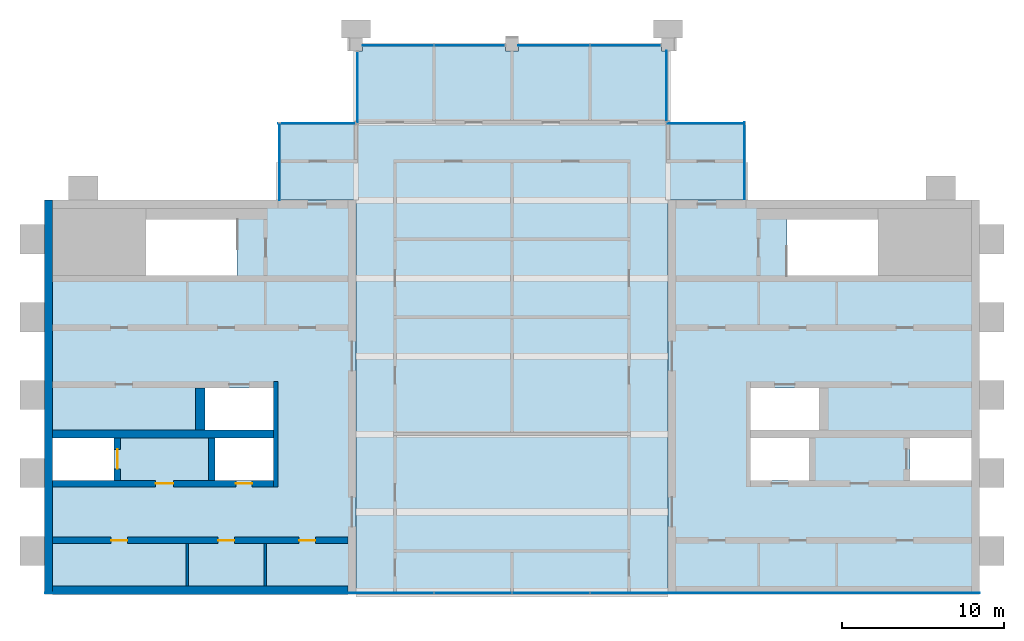
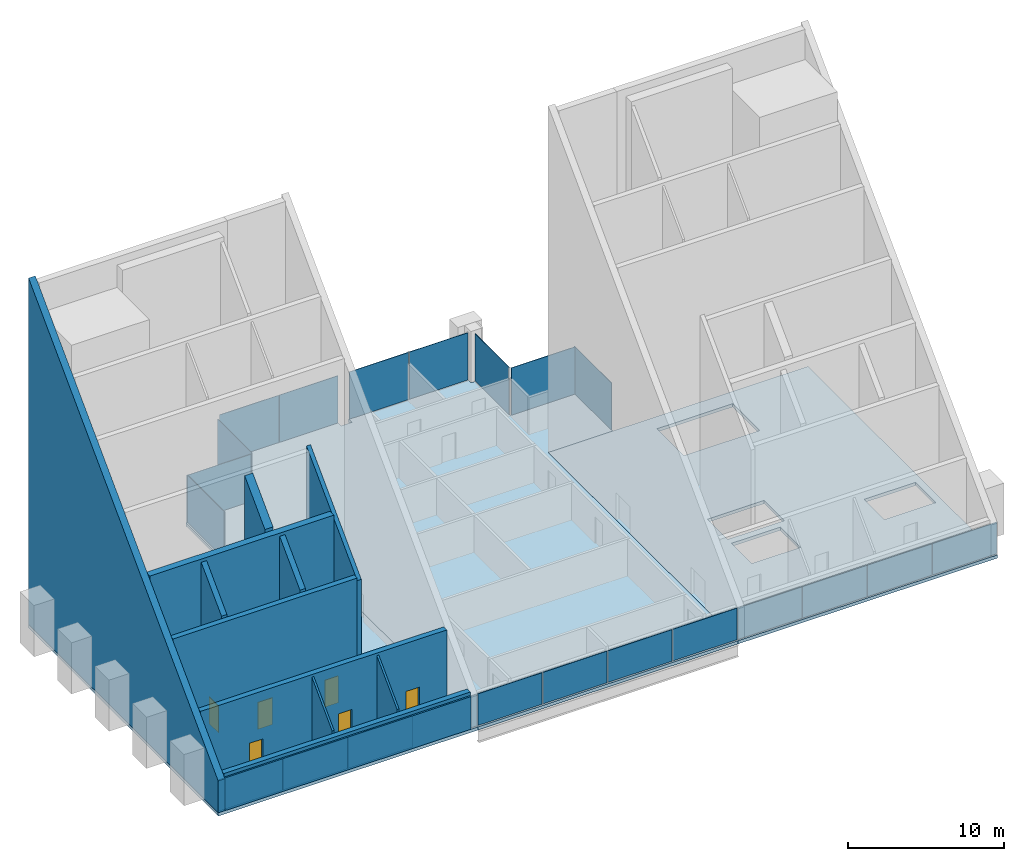
# One storey, part 8 of 12: 22 plates, 12 walls, 6 doors, 3 slabs, 6 openings, 9 elements without a shape of their own.
"""IFC4 building model written with IfcOpenShell, lengths in metres."""

from ifc_helpers import new_model, si_unit, direction, frame, frame_2d, origin, origin_2d, place, context, subcontext, project, spatial, polyline, rectangle, outline, extrude, material, layer, layer_set, type_object, element, fill, aggregate, save


model = new_model("IFC4")

# Units and contexts
model_context = context("Model", 3, precision=1e-05, world=origin(), true_north=direction((0.0, 1.0)))
body_context = subcontext(model_context, "Body", "Model", "MODEL_VIEW")
ifc_project = project(units=[si_unit("LENGTHUNIT", "METRE"), si_unit("AREAUNIT", "SQUARE_METRE"), si_unit("VOLUMEUNIT", "CUBIC_METRE"), si_unit("PLANEANGLEUNIT", "RADIAN"), si_unit("MASSUNIT", "GRAM", prefix="KILO")], contexts=[model_context])

# Site, building, storey
site_placement = place(None, origin())
site = spatial("IfcSite", under=ifc_project, at=site_placement, CompositionType="ELEMENT")
building_placement = place(site_placement, origin())
building = spatial("IfcBuilding", under=site, at=building_placement, Name="Baori Bourse Tower", CompositionType="ELEMENT")
storey_placement = place(building_placement, frame((0.0, 0.0, 374.300048828125)))
storey = spatial("IfcBuildingStorey", under=building, at=storey_placement, Name="L84", CompositionType="ELEMENT", Elevation=374.300048828125)

# Curtain wall, plates
ifc_material_1 = material(Name="Pale anodised aluminium", Category="aluminium")
curtain_wall_type = type_object("IfcCurtainWallType", Name="CW3 Curtain wall", PredefinedType="NOTDEFINED", material=ifc_material_1)
curtain_wall_1_placement = place(storey_placement, origin())
curtain_wall_1 = element("IfcCurtainWall", 1, at=curtain_wall_1_placement, inside=storey, type_object=curtain_wall_type, Name="Curtain wall CW3 L84 1", PredefinedType="NOTDEFINED")
ifc_material_2 = material(Name="Pale anodised aluminium", Category="aluminium")
ifc_layer_1 = layer(ifc_material_2, 0.0400390625)
ifc_layer_set_1 = layer_set([ifc_layer_1], Name="CW3 Curtain wall panel")
plate_type = type_object("IfcPlateType", Name="CW3 Curtain wall panel", PredefinedType="CURTAIN_PANEL", material=ifc_layer_set_1)
plate_1_placement = place(storey_placement, frame((2.41259765625, 14.203369140625, 0.06005859375), z_axis=(0.0, 0.0, 1.0), x_axis=(1.0, 0.0, 0.0)))
plate_1 = element("IfcPlate", 2, at=plate_1_placement, type_object=plate_type, Name="Curtain wall CW3 louvre panel", PredefinedType="CURTAIN_PANEL", context=body_context, shape_type="SweptSolid", body=[
    extrude(rectangle(XDim=4.72509765625, YDim=0.0400390625, at=origin_2d()), origin(), (0.0, 0.0, 1.0), 2.469970703125),
])
plate_2_placement = place(storey_placement, frame((7.199951171875, 14.203369140625, 0.06005859375), z_axis=(0.0, 0.0, 1.0), x_axis=(1.0, 0.0, 0.0)))
plate_2 = element("IfcPlate", 3, at=plate_2_placement, type_object=plate_type, Name="Curtain wall CW3 louvre panel", PredefinedType="CURTAIN_PANEL", context=body_context, shape_type="SweptSolid", body=[
    extrude(rectangle(XDim=4.75, YDim=0.0400390625, at=origin_2d()), origin(), (0.0, 0.0, 1.0), 2.469970703125),
])
plate_3_placement = place(storey_placement, frame((12.0, 14.203369140625, 0.06005859375), z_axis=(0.0, 0.0, 1.0), x_axis=(1.0, 0.0, 0.0)))
plate_3 = element("IfcPlate", 4, at=plate_3_placement, type_object=plate_type, Name="Curtain wall CW3 louvre panel", PredefinedType="CURTAIN_PANEL", context=body_context, shape_type="SweptSolid", body=[
    extrude(rectangle(XDim=4.75, YDim=0.0400390625, at=origin_2d()), origin(), (0.0, 0.0, 1.0), 2.469970703125),
])
plate_4_placement = place(storey_placement, frame((16.800048828125, 14.203369140625, 0.06005859375), z_axis=(0.0, 0.0, 1.0), x_axis=(1.0, 0.0, 0.0)))
plate_4 = element("IfcPlate", 5, at=plate_4_placement, type_object=plate_type, Name="Curtain wall CW3 louvre panel", PredefinedType="CURTAIN_PANEL", context=body_context, shape_type="SweptSolid", body=[
    extrude(rectangle(XDim=4.75, YDim=0.0400390625, at=origin_2d()), origin(), (0.0, 0.0, 1.0), 2.469970703125),
])
plate_5_placement = place(storey_placement, frame((21.60009765625, 14.203369140625, 0.06005859375), z_axis=(0.0, 0.0, 1.0), x_axis=(1.0, 0.0, 0.0)))
plate_5 = element("IfcPlate", 6, at=plate_5_placement, type_object=plate_type, Name="Curtain wall CW3 louvre panel", PredefinedType="CURTAIN_PANEL", context=body_context, shape_type="SweptSolid", body=[
    extrude(rectangle(XDim=4.75, YDim=0.0400390625, at=origin_2d()), origin(), (0.0, 0.0, 1.0), 2.469970703125),
])
plate_6_placement = place(storey_placement, frame((26.39990234375, 14.203369140625, 0.06005859375), z_axis=(0.0, 0.0, 1.0), x_axis=(1.0, 0.0, 0.0)))
plate_6 = element("IfcPlate", 7, at=plate_6_placement, type_object=plate_type, Name="Curtain wall CW3 louvre panel", PredefinedType="CURTAIN_PANEL", context=body_context, shape_type="SweptSolid", body=[
    extrude(rectangle(XDim=4.75, YDim=0.0400390625, at=origin_2d()), origin(), (0.0, 0.0, 1.0), 2.469970703125),
])
plate_7_placement = place(storey_placement, frame((31.199951171875, 14.203369140625, 0.06005859375), z_axis=(0.0, 0.0, 1.0), x_axis=(1.0, 0.0, 0.0)))
plate_7 = element("IfcPlate", 8, at=plate_7_placement, type_object=plate_type, Name="Curtain wall CW3 louvre panel", PredefinedType="CURTAIN_PANEL", context=body_context, shape_type="SweptSolid", body=[
    extrude(rectangle(XDim=4.75, YDim=0.0400390625, at=origin_2d()), origin(), (0.0, 0.0, 1.0), 2.469970703125),
])
plate_8_placement = place(storey_placement, frame((36.0, 14.203369140625, 0.06005859375), z_axis=(0.0, 0.0, 1.0), x_axis=(1.0, 0.0, 0.0)))
plate_8 = element("IfcPlate", 9, at=plate_8_placement, type_object=plate_type, Name="Curtain wall CW3 louvre panel", PredefinedType="CURTAIN_PANEL", context=body_context, shape_type="SweptSolid", body=[
    extrude(rectangle(XDim=4.75, YDim=0.0400390625, at=origin_2d()), origin(), (0.0, 0.0, 1.0), 2.469970703125),
])
plate_9_placement = place(storey_placement, frame((40.800048828125, 14.203369140625, 0.06005859375), z_axis=(0.0, 0.0, 1.0), x_axis=(1.0, 0.0, 0.0)))
plate_9 = element("IfcPlate", 10, at=plate_9_placement, type_object=plate_type, Name="Curtain wall CW3 louvre panel", PredefinedType="CURTAIN_PANEL", context=body_context, shape_type="SweptSolid", body=[
    extrude(rectangle(XDim=4.75, YDim=0.0400390625, at=origin_2d()), origin(), (0.0, 0.0, 1.0), 2.469970703125),
])
plate_10_placement = place(storey_placement, frame((45.60009765625, 14.203369140625, 0.06005859375), z_axis=(0.0, 0.0, 1.0), x_axis=(1.0, 0.0, 0.0)))
plate_10 = element("IfcPlate", 11, at=plate_10_placement, type_object=plate_type, Name="Curtain wall CW3 louvre panel", PredefinedType="CURTAIN_PANEL", context=body_context, shape_type="SweptSolid", body=[
    extrude(rectangle(XDim=4.75, YDim=0.0400390625, at=origin_2d()), origin(), (0.0, 0.0, 1.0), 2.469970703125),
])
plate_11_placement = place(storey_placement, frame((50.39990234375, 14.203369140625, 0.06005859375), z_axis=(0.0, 0.0, 1.0), x_axis=(1.0, 0.0, 0.0)))
plate_11 = element("IfcPlate", 12, at=plate_11_placement, type_object=plate_type, Name="Curtain wall CW3 louvre panel", PredefinedType="CURTAIN_PANEL", context=body_context, shape_type="SweptSolid", body=[
    extrude(rectangle(XDim=4.75, YDim=0.0400390625, at=origin_2d()), origin(), (0.0, 0.0, 1.0), 2.469970703125),
])
plate_12_placement = place(storey_placement, frame((55.21240234375, 14.203369140625, 0.06005859375), z_axis=(0.0, 0.0, 1.0), x_axis=(1.0, 0.0, 0.0)))
plate_12 = element("IfcPlate", 13, at=plate_12_placement, type_object=plate_type, Name="Curtain wall CW3 louvre panel", PredefinedType="CURTAIN_PANEL", context=body_context, shape_type="SweptSolid", body=[
    extrude(rectangle(XDim=4.77490234375, YDim=0.0400390625, at=origin_2d()), origin(), (0.0, 0.0, 1.0), 2.469970703125),
])
aggregate(curtain_wall_1, [plate_1, plate_2, plate_3, plate_4, plate_5, plate_6, plate_7, plate_8, plate_9, plate_10, plate_11, plate_12])

# Curtain wall, plate
curtain_wall_2_placement = place(storey_placement, origin())
curtain_wall_2 = element("IfcCurtainWall", 14, at=curtain_wall_2_placement, inside=storey, type_object=curtain_wall_type, Name="Curtain wall CW3 L84 2", PredefinedType="NOTDEFINED")
plate_13_placement = place(storey_placement, frame((43.1201171875, 40.824951171875, 0.06005859375), z_axis=(0.0, 0.0, 1.0), x_axis=(0.0, 1.0, 0.0)))
plate_13 = element("IfcPlate", 15, at=plate_13_placement, type_object=plate_type, Name="Curtain wall CW3 louvre panel", PredefinedType="CURTAIN_PANEL", context=body_context, shape_type="SweptSolid", body=[
    extrude(rectangle(XDim=4.75, YDim=0.0400390625, at=origin_2d()), origin(), (0.0, 0.0, 1.0), 3.68994140625),
])
aggregate(curtain_wall_2, [plate_13])

curtain_wall_3_placement = place(storey_placement, origin())
curtain_wall_3 = element("IfcCurtainWall", 16, at=curtain_wall_3_placement, inside=storey, type_object=curtain_wall_type, Name="Curtain wall CW3 L84 3", PredefinedType="NOTDEFINED")
plate_14_placement = place(storey_placement, frame((40.77490234375, 43.1201171875, 0.06005859375), z_axis=(0.0, 0.0, 1.0), x_axis=(-1.0, 0.0, 0.0)))
plate_14 = element("IfcPlate", 17, at=plate_14_placement, type_object=plate_type, Name="Curtain wall CW3 louvre panel", PredefinedType="CURTAIN_PANEL", context=body_context, shape_type="SweptSolid", body=[
    extrude(rectangle(XDim=4.75, YDim=0.0400390625, at=origin_2d()), origin(), (0.0, 0.0, 1.0), 3.68994140625),
])
aggregate(curtain_wall_3, [plate_14])

curtain_wall_4_placement = place(storey_placement, origin())
curtain_wall_4 = element("IfcCurtainWall", 18, at=curtain_wall_4_placement, inside=storey, type_object=curtain_wall_type, Name="Curtain wall CW3 L84 4", PredefinedType="NOTDEFINED")
plate_15_placement = place(storey_placement, frame((38.320068359375, 45.425048828125, 0.06005859375), z_axis=(0.0, 0.0, 1.0), x_axis=(0.0, 1.0, 0.0)))
plate_15 = element("IfcPlate", 19, at=plate_15_placement, type_object=plate_type, Name="Curtain wall CW3 louvre panel", PredefinedType="CURTAIN_PANEL", context=body_context, shape_type="SweptSolid", body=[
    extrude(rectangle(XDim=4.35009765625, YDim=0.0400390625, at=origin_2d()), origin(), (0.0, 0.0, 1.0), 3.68994140625),
])
aggregate(curtain_wall_4, [plate_15])

# Curtain wall, plates
curtain_wall_5_placement = place(storey_placement, origin())
curtain_wall_5 = element("IfcCurtainWall", 20, at=curtain_wall_5_placement, inside=storey, type_object=curtain_wall_type, Name="Curtain wall CW3 L84 5", PredefinedType="NOTDEFINED")
plate_16_placement = place(storey_placement, frame((35.78759765625, 47.919921875, 0.06005859375), z_axis=(0.0, 0.0, 1.0), x_axis=(-1.0, 0.0, 0.0)))
plate_16 = element("IfcPlate", 21, at=plate_16_placement, type_object=plate_type, Name="Curtain wall CW3 louvre panel", PredefinedType="CURTAIN_PANEL", context=body_context, shape_type="SweptSolid", body=[
    extrude(rectangle(XDim=4.324951171875, YDim=0.0400390625, at=origin_2d()), origin(), (0.0, 0.0, 1.0), 3.68994140625),
])
plate_17_placement = place(storey_placement, frame((31.387451171875, 47.919921875, 0.06005859375), z_axis=(0.0, 0.0, 1.0), x_axis=(-1.0, 0.0, 0.0)))
plate_17 = element("IfcPlate", 22, at=plate_17_placement, type_object=plate_type, Name="Curtain wall CW3 louvre panel", PredefinedType="CURTAIN_PANEL", context=body_context, shape_type="SweptSolid", body=[
    extrude(rectangle(XDim=4.375, YDim=0.0400390625, at=origin_2d()), origin(), (0.0, 0.0, 1.0), 3.68994140625),
])
aggregate(curtain_wall_5, [plate_16, plate_17])

curtain_wall_6_placement = place(storey_placement, origin())
curtain_wall_6 = element("IfcCurtainWall", 23, at=curtain_wall_6_placement, inside=storey, type_object=curtain_wall_type, Name="Curtain wall CW3 L84 6", PredefinedType="NOTDEFINED")
plate_18_placement = place(storey_placement, frame((26.1875, 47.919921875, 0.06005859375), z_axis=(0.0, 0.0, 1.0), x_axis=(-1.0, 0.0, 0.0)))
plate_18 = element("IfcPlate", 24, at=plate_18_placement, type_object=plate_type, Name="Curtain wall CW3 louvre panel", PredefinedType="CURTAIN_PANEL", context=body_context, shape_type="SweptSolid", body=[
    extrude(rectangle(XDim=4.324951171875, YDim=0.0400390625, at=origin_2d()), origin(), (0.0, 0.0, 1.0), 3.68994140625),
])
plate_19_placement = place(storey_placement, frame((21.78759765625, 47.919921875, 0.06005859375), z_axis=(0.0, 0.0, 1.0), x_axis=(-1.0, 0.0, 0.0)))
plate_19 = element("IfcPlate", 25, at=plate_19_placement, type_object=plate_type, Name="Curtain wall CW3 louvre panel", PredefinedType="CURTAIN_PANEL", context=body_context, shape_type="SweptSolid", body=[
    extrude(rectangle(XDim=4.375, YDim=0.0400390625, at=origin_2d()), origin(), (0.0, 0.0, 1.0), 3.68994140625),
])
aggregate(curtain_wall_6, [plate_18, plate_19])

# Curtain wall, plate
curtain_wall_7_placement = place(storey_placement, origin())
curtain_wall_7 = element("IfcCurtainWall", 26, at=curtain_wall_7_placement, inside=storey, type_object=curtain_wall_type, Name="Curtain wall CW3 L84 7", PredefinedType="NOTDEFINED")
plate_20_placement = place(storey_placement, frame((19.280029296875, 45.375, 0.06005859375), z_axis=(0.0, 0.0, 1.0), x_axis=(0.0, -1.0, 0.0)))
plate_20 = element("IfcPlate", 27, at=plate_20_placement, type_object=plate_type, Name="Curtain wall CW3 louvre panel", PredefinedType="CURTAIN_PANEL", context=body_context, shape_type="SweptSolid", body=[
    extrude(rectangle(XDim=4.35009765625, YDim=0.0400390625, at=origin_2d()), origin(), (0.0, 0.0, 1.0), 3.68994140625),
])
aggregate(curtain_wall_7, [plate_20])

curtain_wall_8_placement = place(storey_placement, origin())
curtain_wall_8 = element("IfcCurtainWall", 28, at=curtain_wall_8_placement, inside=storey, type_object=curtain_wall_type, Name="Curtain wall CW3 L84 8", PredefinedType="NOTDEFINED")
plate_21_placement = place(storey_placement, frame((16.77490234375, 43.1201171875, 0.06005859375), z_axis=(0.0, 0.0, 1.0), x_axis=(-1.0, 0.0, 0.0)))
plate_21 = element("IfcPlate", 29, at=plate_21_placement, type_object=plate_type, Name="Curtain wall CW3 louvre panel", PredefinedType="CURTAIN_PANEL", context=body_context, shape_type="SweptSolid", body=[
    extrude(rectangle(XDim=4.75, YDim=0.0400390625, at=origin_2d()), origin(), (0.0, 0.0, 1.0), 3.68994140625),
])
aggregate(curtain_wall_8, [plate_21])

curtain_wall_9_placement = place(storey_placement, origin())
curtain_wall_9 = element("IfcCurtainWall", 30, at=curtain_wall_9_placement, inside=storey, type_object=curtain_wall_type, Name="Curtain wall CW3 L84 9", PredefinedType="NOTDEFINED")
plate_22_placement = place(storey_placement, frame((14.47998046875, 40.77490234375, 0.06005859375), z_axis=(0.0, 0.0, 1.0), x_axis=(0.0, -1.0, 0.0)))
plate_22 = element("IfcPlate", 31, at=plate_22_placement, type_object=plate_type, Name="Curtain wall CW3 louvre panel", PredefinedType="CURTAIN_PANEL", context=body_context, shape_type="SweptSolid", body=[
    extrude(rectangle(XDim=4.75, YDim=0.0400390625, at=origin_2d()), origin(), (0.0, 0.0, 1.0), 3.68994140625),
])
aggregate(curtain_wall_9, [plate_22])

# Slabs
ifc_material_3 = material(Name="Concrete f'c 50 MPa", Category="concrete")
ifc_layer_2 = layer(ifc_material_3, 0.25)
ifc_layer_set_2 = layer_set([ifc_layer_2], Name="Core slab 250")
slab_type_1 = type_object("IfcSlabType", Name="Core slab 250", PredefinedType="FLOOR", material=ifc_layer_set_2)
slab_1_placement = place(storey_placement, frame((0.0, 0.0, -0.25)))
element("IfcSlab", 32, at=slab_1_placement, inside=storey, type_object=slab_type_1, Name="Core floor slab W01", PredefinedType="FLOOR", context=body_context, shape_type="SweptSolid", body=[
    extrude(outline(polyline([(19.199951171875, 14.12353515625), (19.199951171875, 38.39990234375), (0.0, 38.39990234375), (0.0, 14.12353515625), (19.199951171875, 14.12353515625)]), holes=[polyline([(9.89990234375, 24.25), (9.89990234375, 26.85009765625), (14.10009765625, 26.85009765625), (14.10009765625, 24.25), (9.89990234375, 24.25)]), polyline([(10.5, 23.75), (14.10009765625, 23.75), (14.10009765625, 21.14990234375), (10.5, 21.14990234375), (10.5, 23.75)]), polyline([(11.84912109375, 37.199951171875), (11.84912109375, 33.75), (6.25, 33.75), (6.25, 37.199951171875), (11.84912109375, 37.199951171875)]), polyline([(4.300048828125, 21.14990234375), (0.5, 21.14990234375), (0.5, 23.75), (4.300048828125, 23.75), (4.300048828125, 21.14990234375)])]), origin(), (0.0, 0.0, 1.0), 0.25),
])
slab_2_placement = place(storey_placement, frame((0.0, 0.0, -0.25)))
element("IfcSlab", 33, at=slab_2_placement, inside=storey, type_object=slab_type_1, Name="Core floor slab E01", PredefinedType="FLOOR", context=body_context, shape_type="SweptSolid", body=[
    extrude(outline(polyline([(38.39990234375, 14.12353515625), (57.60009765625, 14.12353515625), (57.60009765625, 38.39990234375), (38.39990234375, 38.39990234375), (38.39990234375, 14.12353515625)]), holes=[polyline([(53.300048828125, 21.14990234375), (53.300048828125, 23.75), (57.10009765625, 23.75), (57.10009765625, 21.14990234375), (53.300048828125, 21.14990234375)]), polyline([(51.35009765625, 37.199951171875), (51.35009765625, 33.75), (45.750732421875, 33.75), (45.750732421875, 37.199951171875), (51.35009765625, 37.199951171875)]), polyline([(43.5, 26.85009765625), (47.699951171875, 26.85009765625), (47.699951171875, 24.25), (43.5, 24.25), (43.5, 26.85009765625)]), polyline([(47.10009765625, 23.75), (47.10009765625, 21.14990234375), (43.5, 21.14990234375), (43.5, 23.75), (47.10009765625, 23.75)])]), origin(), (0.0, 0.0, 1.0), 0.25),
])
ifc_material_4 = material(Name="Concrete f'c 40 MPa", Category="concrete")
ifc_layer_3 = layer(ifc_material_4, 0.25)
ifc_layer_set_3 = layer_set([ifc_layer_3], Name="Floor slab 250")
slab_type_2 = type_object("IfcSlabType", Name="Floor slab 250", PredefinedType="FLOOR", material=ifc_layer_set_3)
slab_3_placement = place(storey_placement, frame((0.0, 0.0, -0.25)))
element("IfcSlab", 34, at=slab_3_placement, inside=storey, type_object=slab_type_2, Name="Floor slab L84", PredefinedType="FLOOR", context=body_context, shape_type="SweptSolid", body=[
    extrude(outline(polyline([(38.39990234375, 43.199951171875), (43.199951171875, 43.199951171875), (43.199951171875, 38.39990234375), (38.39990234375, 38.39990234375), (38.39990234375, 14.12353515625), (19.199951171875, 14.12353515625), (19.199951171875, 38.39990234375), (14.39990234375, 38.39990234375), (14.39990234375, 43.199951171875), (19.199951171875, 43.199951171875), (19.199951171875, 47.60009765625), (19.60009765625, 47.60009765625), (19.60009765625, 48.0), (28.39990234375, 48.0), (28.39990234375, 47.60009765625), (29.199951171875, 47.60009765625), (29.199951171875, 48.0), (38.0, 48.0), (38.0, 47.60009765625), (38.39990234375, 47.60009765625), (38.39990234375, 43.199951171875)])), origin(), (0.0, 0.0, 1.0), 0.25),
])

# Walls
ifc_material_5 = material(Name="Blockwork partition", Category="masonry")
ifc_layer_4 = layer(ifc_material_5, 0.14990234375)
ifc_layer_set_4 = layer_set([ifc_layer_4], Name="Core partition 150")
wall_type_1 = type_object("IfcWallType", Name="Core partition 150", PredefinedType="PARTITIONING", material=ifc_layer_set_4)
for number, where, z_axis, x_axis, name in (
    (35, (8.800048828125, 14.64990234375, 0.0), (0.0, 0.0, 1.0), (0.0, 1.0, 0.0), "Partition wall W05"),
    (36, (13.60009765625, 14.64990234375, 0.0), (0.0, 0.0, 1.0), (0.0, 1.0, 0.0), "Partition wall W06"),
):
    element("IfcWall", number, at=place(storey_placement, frame(where, z_axis=z_axis, x_axis=x_axis)), inside=storey, type_object=wall_type_1, Name=name, PredefinedType="PARTITIONING", context=body_context, shape_type="SweptSolid", body=[
        extrude(outline(polyline([(0.0, 0.0), (2.60009765625, 0.0), (2.60009765625, 5.653076171875), (0.0, 3.0205078125), (0.0, 0.0)])), frame((0.0, 0.074951171875, 0.0), z_axis=(0.0, -1.0, 0.0), x_axis=(1.0, 0.0, 0.0)), (0.0, 0.0, 1.0), 0.14990234375),
    ])
ifc_material_6 = material(Name="Concrete f'c 40 MPa", Category="concrete")
ifc_layer_5 = layer(ifc_material_6, 0.126953125)
ifc_layer_set_5 = layer_set([ifc_layer_5], Name="Core wall 127 f'c 40")
wall_type_2 = type_object("IfcWallType", Name="Core wall 127 f'c 40", PredefinedType="SHEAR", material=ifc_layer_set_5)
wall_1_placement = place(storey_placement, frame((18.699951171875, 14.186767578125, 0.0), z_axis=(0.0, 0.0, 1.0), x_axis=(-1.0, 0.0, 0.0)))
element("IfcWall", 37, at=wall_1_placement, inside=storey, type_object=wall_type_2, Name="Core wall W02", PredefinedType="SHEAR", context=body_context, shape_type="SweptSolid", body=[
    extrude(outline(polyline([(0.0, 0.0), (18.199951171875, 0.0), (18.199951171875, 2.551513671875), (0.0, 2.551513671875), (0.0, 0.0)])), frame((0.0, 0.063232421875, 0.0), z_axis=(0.0, -1.0, 0.0), x_axis=(1.0, 0.0, 0.0)), (0.0, 0.0, 1.0), 0.12646484375),
])
ifc_material_7 = material(Name="Concrete f'c 40 MPa", Category="concrete")
ifc_layer_6 = layer(ifc_material_7, 0.5)
ifc_layer_set_6 = layer_set([ifc_layer_6], Name="Core wall 500 f'c 40")
wall_type_3 = type_object("IfcWallType", Name="Core wall 500 f'c 40", PredefinedType="SHEAR", material=ifc_layer_set_6)
wall_2_placement = place(storey_placement, frame((0.25, 14.12353515625, 0.0), z_axis=(0.0, 0.0, 1.0), x_axis=(0.0, 1.0, 0.0)))
element("IfcWall", 38, at=wall_2_placement, inside=storey, type_object=wall_type_3, Name="Core wall W01", PredefinedType="SHEAR", context=body_context, shape_type="SweptSolid", body=[
    extrude(outline(polyline([(0.0, 0.0), (24.2763671875, 0.0), (24.276611328125, 27.0673828125), (0.0, 2.487548828125), (0.0, 0.0)])), frame((0.0, 0.25, 0.0), z_axis=(0.0, -1.0, 0.0), x_axis=(1.0, 0.0, 0.0)), (0.0, 0.0, 1.0), 0.5),
])
ifc_material_8 = material(Name="Concrete f'c 40 MPa", Category="concrete")
ifc_layer_7 = layer(ifc_material_8, 0.300048828125)
ifc_layer_set_7 = layer_set([ifc_layer_7], Name="Shaft wall 300 f'c 40")
wall_type_4 = type_object("IfcWallType", Name="Shaft wall 300 f'c 40", PredefinedType="SHEAR", material=ifc_layer_set_7)
wall_3_placement = place(storey_placement, frame((14.25, 20.75, 0.0), z_axis=(0.0, 0.0, 1.0), x_axis=(0.0, 1.0, 0.0)))
element("IfcWall", 39, at=wall_3_placement, inside=storey, type_object=wall_type_4, Name="Core wall W09", PredefinedType="SHEAR", context=body_context, shape_type="SweptSolid", body=[
    extrude(outline(polyline([(0.0, 0.0), (6.5, 0.0), (6.5, 15.778076171875), (0.0, 9.19677734375), (0.0, 0.0)])), frame((0.0, 0.14990234375, 0.0), z_axis=(0.0, -1.0, 0.0), x_axis=(1.0, 0.0, 0.0)), (0.0, 0.0, 1.0), 0.300048828125),
])
ifc_material_9 = material(Name="Concrete f'c 40 MPa", Category="concrete")
ifc_layer_8 = layer(ifc_material_9, 0.39990234375)
ifc_layer_set_8 = layer_set([ifc_layer_8], Name="Shaft wall 400 f'c 40")
wall_type_5 = type_object("IfcWallType", Name="Shaft wall 400 f'c 40", PredefinedType="SHEAR", material=ifc_layer_set_8)
wall_4_placement = place(storey_placement, frame((0.5, 14.449951171875, 0.0), z_axis=(0.0, 0.0, 1.0), x_axis=(1.0, 0.0, 0.0)))
element("IfcWall", 40, at=wall_4_placement, inside=storey, type_object=wall_type_5, Name="Core wall W04", PredefinedType="SHEAR", context=body_context, shape_type="SweptSolid", body=[
    extrude(outline(polyline([(0.0, 0.0), (18.199951171875, 0.0), (18.199951171875, 2.818115234375), (0.0, 2.818115234375), (0.0, 0.0)])), frame((0.0, 0.199951171875, 0.0), z_axis=(0.0, -1.0, 0.0), x_axis=(1.0, 0.0, 0.0)), (0.0, 0.0, 1.0), 0.39990234375),
])

# Wall, openings, doors
wall_5_placement = place(storey_placement, frame((0.5, 17.449951171875, 0.0), z_axis=(0.0, 0.0, 1.0), x_axis=(1.0, 0.0, 0.0)))
wall_5 = element("IfcWall", 41, at=wall_5_placement, inside=storey, type_object=wall_type_5, Name="Core wall W07", PredefinedType="SHEAR", context=body_context, shape_type="SweptSolid", body=[
    extrude(outline(polyline([(0.0, 0.0), (18.199951171875, 0.0), (18.199951171875, 5.85546875), (0.0, 5.85546875), (0.0, 0.0)])), frame((0.0, 0.199951171875, 0.0), z_axis=(0.0, -1.0, 0.0), x_axis=(1.0, 0.0, 0.0)), (0.0, 0.0, 1.0), 0.39990234375),
])
opening_1_placement = place(wall_5_placement, frame((3.612548828125, 0.0, 0.0)))
opening_1 = element("IfcOpeningElement", 42, at=opening_1_placement, cuts=wall_5, Name="Opening L84-D110", PredefinedType="OPENING", context=body_context, shape_type="SweptSolid", body=[
    extrude(rectangle(XDim=1.0, YDim=2.10009765625, at=frame_2d((0.5, 1.050048828125))), frame((0.0, 0.2099609375, 0.0), z_axis=(0.0, -1.0, 0.0), x_axis=(1.0, 0.0, 0.0)), (0.0, 0.0, 1.0), 0.419921875),
])
opening_2_placement = place(wall_5_placement, frame((10.199951171875, 0.0, 0.0)))
opening_2 = element("IfcOpeningElement", 43, at=opening_2_placement, cuts=wall_5, Name="Opening L84-D111", PredefinedType="OPENING", context=body_context, shape_type="SweptSolid", body=[
    extrude(rectangle(XDim=1.0, YDim=2.10009765625, at=frame_2d((0.5, 1.050048828125))), frame((0.0, 0.2099609375, 0.0), z_axis=(0.0, -1.0, 0.0), x_axis=(1.0, 0.0, 0.0)), (0.0, 0.0, 1.0), 0.419921875),
])
opening_3_placement = place(wall_5_placement, frame((15.1875, 0.0, 0.0)))
opening_3 = element("IfcOpeningElement", 44, at=opening_3_placement, cuts=wall_5, Name="Opening L84-D112", PredefinedType="OPENING", context=body_context, shape_type="SweptSolid", body=[
    extrude(rectangle(XDim=1.0, YDim=2.10009765625, at=frame_2d((0.5, 1.050048828125))), frame((0.0, 0.2099609375, 0.0), z_axis=(0.0, -1.0, 0.0), x_axis=(1.0, 0.0, 0.0)), (0.0, 0.0, 1.0), 0.419921875),
])
ifc_material_10 = material(Name="Painted steel door", Category="steel")
door_type_1 = type_object("IfcDoorType", Name="Plant room door 1000", OperationType="SINGLE_SWING_LEFT", PredefinedType="DOOR", material=ifc_material_10)
door_1_placement = place(opening_1_placement, origin())
door_1 = element("IfcDoor", 45, at=door_1_placement, inside=storey, type_object=door_type_1, Name="Air Handling Fan Room door W L84", OperationType="SINGLE_SWING_LEFT", OverallHeight=2.10009765625, OverallWidth=1.0, PredefinedType="DOOR", context=body_context, shape_type="SweptSolid", body=[
    extrude(rectangle(XDim=1.0, YDim=2.10009765625, at=frame_2d((0.5, 1.050048828125))), frame((0.0, 0.02490234375, 0.0), z_axis=(0.0, -1.0, 0.0), x_axis=(1.0, 0.0, 0.0)), (0.0, 0.0, 1.0), 0.050048828125),
])
fill(opening_1, door_1)
door_2_placement = place(opening_2_placement, origin())
door_2 = element("IfcDoor", 46, at=door_2_placement, inside=storey, type_object=door_type_1, Name="Electrical Room door W L84", OperationType="SINGLE_SWING_LEFT", OverallHeight=2.10009765625, OverallWidth=1.0, PredefinedType="DOOR", context=body_context, shape_type="SweptSolid", body=[
    extrude(rectangle(XDim=1.0, YDim=2.10009765625, at=frame_2d((0.5, 1.050048828125))), frame((0.0, 0.02490234375, 0.0), z_axis=(0.0, -1.0, 0.0), x_axis=(1.0, 0.0, 0.0)), (0.0, 0.0, 1.0), 0.050048828125),
])
fill(opening_2, door_2)
door_3_placement = place(opening_3_placement, origin())
door_3 = element("IfcDoor", 47, at=door_3_placement, inside=storey, type_object=door_type_1, Name="Mechanical Room door W L84", OperationType="SINGLE_SWING_LEFT", OverallHeight=2.10009765625, OverallWidth=1.0, PredefinedType="DOOR", context=body_context, shape_type="SweptSolid", body=[
    extrude(rectangle(XDim=1.0, YDim=2.10009765625, at=frame_2d((0.5, 1.050048828125))), frame((0.0, 0.02490234375, 0.0), z_axis=(0.0, -1.0, 0.0), x_axis=(1.0, 0.0, 0.0)), (0.0, 0.0, 1.0), 0.050048828125),
])
fill(opening_3, door_3)

wall_6_placement = place(storey_placement, frame((0.5, 20.949951171875, 0.0), z_axis=(0.0, 0.0, 1.0), x_axis=(1.0, 0.0, 0.0)))
wall_6 = element("IfcWall", 48, at=wall_6_placement, inside=storey, type_object=wall_type_5, Name="Core wall W08", PredefinedType="SHEAR", context=body_context, shape_type="SweptSolid", body=[
    extrude(outline(polyline([(0.0, 0.0), (13.60009765625, 0.0), (13.60009765625, 9.3994140625), (0.0, 9.3994140625), (0.0, 0.0)])), frame((0.0, 0.199951171875, 0.0), z_axis=(0.0, -1.0, 0.0), x_axis=(1.0, 0.0, 0.0)), (0.0, 0.0, 1.0), 0.39990234375),
])
opening_4_placement = place(wall_6_placement, frame((6.35009765625, 0.0, 0.0)))
opening_4 = element("IfcOpeningElement", 49, at=opening_4_placement, cuts=wall_6, Name="Opening L84-D103", PredefinedType="OPENING", context=body_context, shape_type="SweptSolid", body=[
    extrude(rectangle(XDim=1.10009765625, YDim=2.10009765625, at=frame_2d((0.550048828125, 1.050048828125))), frame((0.0, 0.2099609375, 0.0), z_axis=(0.0, -1.0, 0.0), x_axis=(1.0, 0.0, 0.0)), (0.0, 0.0, 1.0), 0.419921875),
])
opening_5_placement = place(wall_6_placement, frame((11.300048828125, 0.0, 0.0)))
opening_5 = element("IfcOpeningElement", 50, at=opening_5_placement, cuts=wall_6, Name="Opening L84-D104", PredefinedType="OPENING", context=body_context, shape_type="SweptSolid", body=[
    extrude(rectangle(XDim=1.0, YDim=2.10009765625, at=frame_2d((0.5, 1.050048828125))), frame((0.0, 0.2099609375, 0.0), z_axis=(0.0, -1.0, 0.0), x_axis=(1.0, 0.0, 0.0)), (0.0, 0.0, 1.0), 0.419921875),
])
ifc_material_11 = material(Name="Painted steel door", Category="steel")
door_type_2 = type_object("IfcDoorType", Name="Lobby door 1100", OperationType="SINGLE_SWING_LEFT", PredefinedType="DOOR", material=ifc_material_11)
door_4_placement = place(opening_4_placement, origin())
door_4 = element("IfcDoor", 51, at=door_4_placement, inside=storey, type_object=door_type_2, Name="Firefighting lobby door W L84", OperationType="SINGLE_SWING_LEFT", OverallHeight=2.10009765625, OverallWidth=1.10009765625, PredefinedType="DOOR", context=body_context, shape_type="SweptSolid", body=[
    extrude(rectangle(XDim=1.10009765625, YDim=2.10009765625, at=frame_2d((0.550048828125, 1.050048828125))), frame((0.0, 0.02490234375, 0.0), z_axis=(0.0, -1.0, 0.0), x_axis=(1.0, 0.0, 0.0)), (0.0, 0.0, 1.0), 0.050048828125),
])
fill(opening_4, door_4)
ifc_material_12 = material(Name="Painted steel door", Category="steel")
door_type_3 = type_object("IfcDoorType", Name="Shaft door 1000", OperationType="SINGLE_SWING_LEFT", PredefinedType="DOOR", material=ifc_material_12)
door_5_placement = place(opening_5_placement, origin())
door_5 = element("IfcDoor", 52, at=door_5_placement, inside=storey, type_object=door_type_3, Name="Riser room door W L84", OperationType="SINGLE_SWING_LEFT", OverallHeight=2.10009765625, OverallWidth=1.0, PredefinedType="DOOR", context=body_context, shape_type="SweptSolid", body=[
    extrude(rectangle(XDim=1.0, YDim=2.10009765625, at=frame_2d((0.5, 1.050048828125))), frame((0.0, 0.02490234375, 0.0), z_axis=(0.0, -1.0, 0.0), x_axis=(1.0, 0.0, 0.0)), (0.0, 0.0, 1.0), 0.050048828125),
])
fill(opening_5, door_5)

# Wall, opening, door
wall_7_placement = place(storey_placement, frame((4.5, 21.14990234375, 0.0), z_axis=(0.0, 0.0, 1.0), x_axis=(0.0, 1.0, 0.0)))
wall_7 = element("IfcWall", 53, at=wall_7_placement, inside=storey, type_object=wall_type_5, Name="Core wall W10", PredefinedType="SHEAR", context=body_context, shape_type="SweptSolid", body=[
    extrude(outline(polyline([(0.0, 0.0), (2.60009765625, 0.0), (2.60009765625, 12.234375), (0.0, 9.601806640625), (0.0, 0.0)])), frame((0.0, 0.199951171875, 0.0), z_axis=(0.0, -1.0, 0.0), x_axis=(1.0, 0.0, 0.0)), (0.0, 0.0, 1.0), 0.39990234375),
])
opening_6_placement = place(wall_7_placement, frame((0.699951171875, 0.0, 0.0)))
opening_6 = element("IfcOpeningElement", 54, at=opening_6_placement, cuts=wall_7, Name="Opening L84-D115", PredefinedType="OPENING", context=body_context, shape_type="SweptSolid", body=[
    extrude(rectangle(XDim=1.199951171875, YDim=2.10009765625, at=frame_2d((0.60009765625, 1.050048828125))), frame((0.0, 0.2099609375, 0.0), z_axis=(0.0, -1.0, 0.0), x_axis=(1.0, 0.0, 0.0)), (0.0, 0.0, 1.0), 0.419921875),
])
ifc_material_13 = material(Name="Stainless steel door", Category="steel")
door_type_4 = type_object("IfcDoorType", Name="Lift landing door", OperationType="DOUBLE_DOOR_SLIDING", PredefinedType="DOOR", material=ifc_material_13)
door_6_placement = place(opening_6_placement, origin())
door_6 = element("IfcDoor", 55, at=door_6_placement, inside=storey, type_object=door_type_4, Name="Lift landing door FF1 W L84", OperationType="DOUBLE_DOOR_SLIDING", OverallHeight=2.10009765625, OverallWidth=1.199951171875, PredefinedType="DOOR", context=body_context, shape_type="SweptSolid", body=[
    extrude(rectangle(XDim=1.199951171875, YDim=2.10009765625, at=frame_2d((0.60009765625, 1.050048828125))), frame((0.0, 0.02490234375, 0.0), z_axis=(0.0, -1.0, 0.0), x_axis=(1.0, 0.0, 0.0)), (0.0, 0.0, 1.0), 0.050048828125),
])
fill(opening_6, door_6)

# Walls
wall_8_placement = place(storey_placement, frame((10.300048828125, 21.14990234375, 0.0), z_axis=(0.0, 0.0, 1.0), x_axis=(0.0, 1.0, 0.0)))
element("IfcWall", 56, at=wall_8_placement, inside=storey, type_object=wall_type_5, Name="Core wall W11", PredefinedType="SHEAR", context=body_context, shape_type="SweptSolid", body=[
    extrude(outline(polyline([(0.0, 0.0), (2.60009765625, 0.0), (2.60009765625, 12.234375), (0.0, 9.601806640625), (0.0, 0.0)])), frame((0.0, 0.199951171875, 0.0), z_axis=(0.0, -1.0, 0.0), x_axis=(1.0, 0.0, 0.0)), (0.0, 0.0, 1.0), 0.39990234375),
])
ifc_material_14 = material(Name="Concrete f'c 40 MPa", Category="concrete")
ifc_layer_9 = layer(ifc_material_14, 0.5)
ifc_layer_set_9 = layer_set([ifc_layer_9], Name="Shaft wall 500 f'c 40")
wall_type_6 = type_object("IfcWallType", Name="Shaft wall 500 f'c 40", PredefinedType="SHEAR", material=ifc_layer_set_9)
wall_9_placement = place(storey_placement, frame((0.5, 24.0, 0.0), z_axis=(0.0, 0.0, 1.0), x_axis=(1.0, 0.0, 0.0)))
element("IfcWall", 57, at=wall_9_placement, inside=storey, type_object=wall_type_6, Name="Core wall W12", PredefinedType="SHEAR", context=body_context, shape_type="SweptSolid", body=[
    extrude(outline(polyline([(0.0, 0.0), (13.60009765625, 0.0), (13.60009765625, 12.487548828125), (0.0, 12.487548828125), (0.0, 0.0)])), frame((0.0, 0.25, 0.0), z_axis=(0.0, -1.0, 0.0), x_axis=(1.0, 0.0, 0.0)), (0.0, 0.0, 1.0), 0.5),
])
ifc_material_15 = material(Name="Concrete f'c 40 MPa", Category="concrete")
ifc_layer_10 = layer(ifc_material_15, 0.60009765625)
ifc_layer_set_10 = layer_set([ifc_layer_10], Name="Shaft wall 600 f'c 40")
wall_type_7 = type_object("IfcWallType", Name="Shaft wall 600 f'c 40", PredefinedType="SHEAR", material=ifc_layer_set_10)
wall_10_placement = place(storey_placement, frame((9.60009765625, 24.25, 0.0), z_axis=(0.0, 0.0, 1.0), x_axis=(0.0, 1.0, 0.0)))
element("IfcWall", 58, at=wall_10_placement, inside=storey, type_object=wall_type_7, Name="Core wall W13", PredefinedType="SHEAR", context=body_context, shape_type="SweptSolid", body=[
    extrude(outline(polyline([(0.0, 0.0), (2.60009765625, 0.0), (2.60009765625, 15.373046875), (0.0, 12.740478515625), (0.0, 0.0)])), frame((0.0, 0.300048828125, 0.0), z_axis=(0.0, -1.0, 0.0), x_axis=(1.0, 0.0, 0.0)), (0.0, 0.0, 1.0), 0.60009765625),
])

save(model, "model.ifc")
